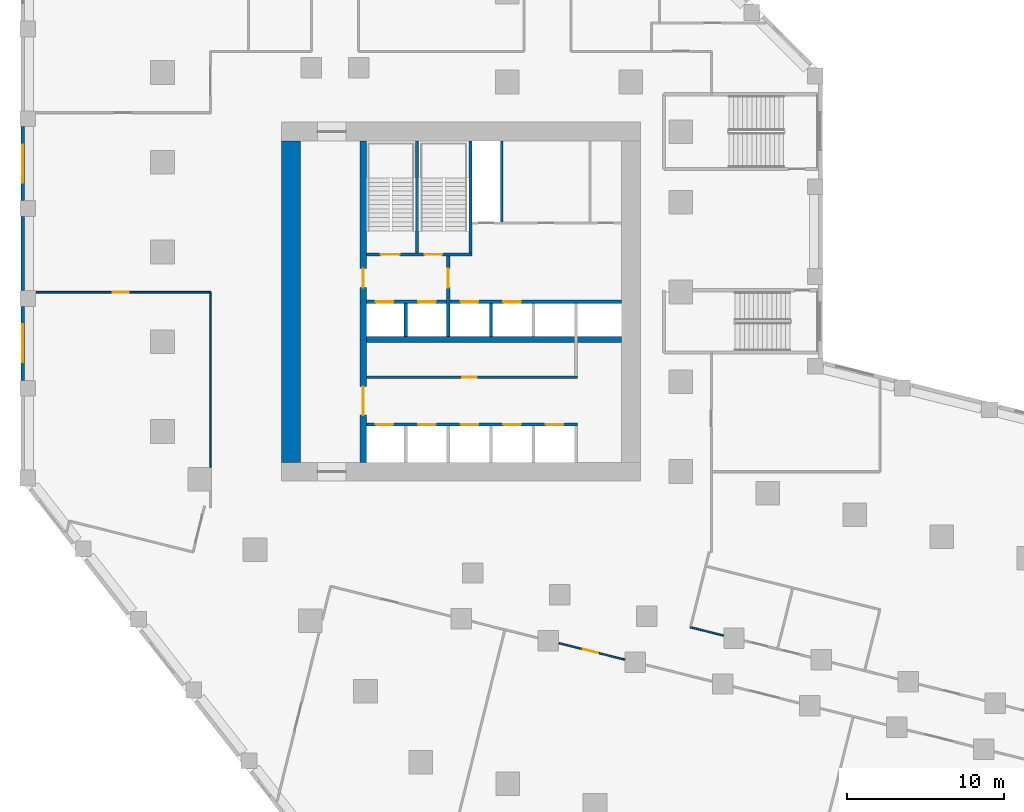
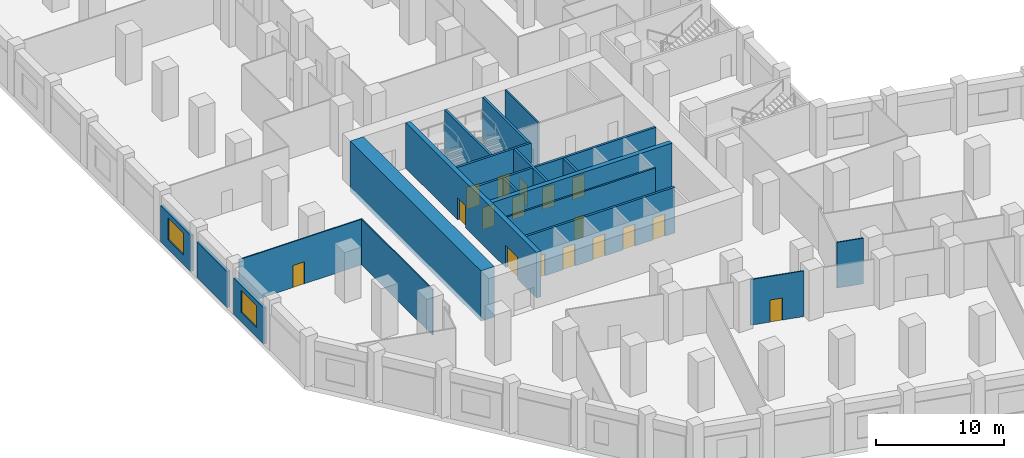
# One storey, part 4 of 15: 20 walls, 17 doors, 2 windows, 19 openings.
"""IFC4 building model written with IfcOpenShell, lengths in metres."""

from ifc_helpers import new_model, si_unit, direction, frame, frame_2d, origin, place, context, subcontext, project, spatial, rectangle, extrude, material, layer, layer_set, type_object, element, fill, save


model = new_model("IFC4")

# Units and contexts
model_context = context("Model", 3, precision=1e-05, world=origin(), true_north=direction((0.0, 1.0)))
body_context = subcontext(model_context, "Body", "Model", "MODEL_VIEW")
ifc_project = project(units=[si_unit("LENGTHUNIT", "METRE"), si_unit("AREAUNIT", "SQUARE_METRE"), si_unit("VOLUMEUNIT", "CUBIC_METRE"), si_unit("PLANEANGLEUNIT", "RADIAN"), si_unit("MASSUNIT", "GRAM", prefix="KILO")], contexts=[model_context])

# Site, building, storey
site_placement = place(None, origin())
site = spatial("IfcSite", under=ifc_project, at=site_placement, CompositionType="ELEMENT")
building_placement = place(site_placement, origin())
building = spatial("IfcBuilding", under=site, at=building_placement, Name="Meshkara Civic Tower", CompositionType="ELEMENT")
storey_placement = place(building_placement, frame((0.0, 0.0, 23.39990234375)))
storey = spatial("IfcBuildingStorey", under=building, at=storey_placement, Name="L04", CompositionType="ELEMENT", Elevation=23.39990234375)

# Wall, opening, door
ifc_material_1 = material(Name="Blockwork", Category="masonry")
ifc_layer_1 = layer(ifc_material_1, 0.14990234375)
ifc_layer_set_1 = layer_set([ifc_layer_1], Name="Core partition 150")
wall_type_1 = type_object("IfcWallType", Name="Core partition 150", PredefinedType="PARTITIONING", material=ifc_layer_set_1)
wall_1_placement = place(storey_placement, frame((13.39990234375, 20.699951171875, 0.0), z_axis=(0.0, 0.0, 1.0), x_axis=(1.0, 0.0, 0.0)))
wall_1 = element("IfcWall", 1, at=wall_1_placement, inside=storey, type_object=wall_type_1, Name="L04-C006", PredefinedType="PARTITIONING", context=body_context, shape_type="SweptSolid", body=[
    extrude(rectangle(XDim=13.400146484375, YDim=0.14990234375, at=frame_2d((6.7001953125, 0.0))), origin(), (0.0, 0.0, 1.0), 4.35009765625),
])
opening_1_placement = place(wall_1_placement, frame((6.10009765625, 0.0, 0.0)))
opening_1 = element("IfcOpeningElement", 2, at=opening_1_placement, cuts=wall_1, Name="Opening L04-K010", PredefinedType="OPENING", context=body_context, shape_type="SweptSolid", body=[
    extrude(rectangle(XDim=0.89990234375, YDim=2.10009765625, at=frame_2d((0.449951171875, 1.050048828125))), frame((0.0, 0.0849609375, 0.0), z_axis=(0.0, -1.0, 0.0), x_axis=(1.0, 0.0, 0.0)), (0.0, 0.0, 1.0), 0.169921875),
])
ifc_material_2 = material(Name="Timber door leaf in steel frame", Category="steel")
door_type_1 = type_object("IfcDoorType", Name="Core room door 900", OperationType="SINGLE_SWING_LEFT", PredefinedType="DOOR", material=ifc_material_2)
door_1_placement = place(opening_1_placement, origin())
door_1 = element("IfcDoor", 3, at=door_1_placement, inside=storey, type_object=door_type_1, Name="L04-K010", OperationType="SINGLE_SWING_RIGHT", OverallHeight=2.10009765625, OverallWidth=0.89990234375, PredefinedType="DOOR", context=body_context, shape_type="SweptSolid", body=[
    extrude(rectangle(XDim=0.89990234375, YDim=2.10009765625, at=frame_2d((0.449951171875, 1.050048828125))), frame((0.0, 0.02490234375, 0.0), z_axis=(0.0, -1.0, 0.0), x_axis=(1.0, 0.0, 0.0)), (0.0, 0.0, 1.0), 0.050048828125),
])
fill(opening_1, door_1)

# Walls
wall_2_placement = place(storey_placement, frame((22.0, 30.574951171875, 0.0), z_axis=(0.0, 0.0, 1.0), x_axis=(0.0, 1.0, 0.0)))
element("IfcWall", 4, at=wall_2_placement, inside=storey, type_object=wall_type_1, Name="L04-C020", PredefinedType="PARTITIONING", context=body_context, shape_type="SweptSolid", body=[
    extrude(rectangle(XDim=5.125, YDim=0.14990234375, at=frame_2d((2.5625, 0.0))), origin(), (0.0, 0.0, 1.0), 4.35009765625),
])
ifc_material_3 = material(Name="Concrete C80", Category="concrete")
ifc_layer_2 = layer(ifc_material_3, 1.199951171875)
ifc_layer_set_2 = layer_set([ifc_layer_2], Name="Core ring wall 1200 C80")
wall_type_2 = type_object("IfcWallType", Name="Core ring wall 1200 C80", PredefinedType="SHEAR", material=ifc_layer_set_2)
wall_3_placement = place(storey_placement, frame((8.60009765625, 15.300048828125, -0.449951171875), z_axis=(0.0, 0.0, 1.0), x_axis=(0.0, 1.0, 0.0)))
element("IfcWall", 5, at=wall_3_placement, inside=storey, type_object=wall_type_2, Name="L04-C003", PredefinedType="SHEAR", context=body_context, shape_type="SweptSolid", body=[
    extrude(rectangle(XDim=20.39990234375, YDim=1.199951171875, at=frame_2d((10.199951171875, 0.0))), origin(), (0.0, 0.0, 1.0), 4.800048828125),
])
ifc_material_4 = material(Name="Concrete C80", Category="concrete")
ifc_layer_3 = layer(ifc_material_4, 0.39990234375)
ifc_layer_set_3 = layer_set([ifc_layer_3], Name="Core shear wall 400 C80")
wall_type_3 = type_object("IfcWallType", Name="Core shear wall 400 C80", PredefinedType="SHEAR", material=ifc_layer_set_3)
wall_4_placement = place(storey_placement, frame((13.39990234375, 23.10009765625, 0.0), z_axis=(0.0, 0.0, 1.0), x_axis=(1.0, 0.0, 0.0)))
element("IfcWall", 6, at=wall_4_placement, inside=storey, type_object=wall_type_3, Name="L04-C007", PredefinedType="SHEAR", context=body_context, shape_type="SweptSolid", body=[
    extrude(rectangle(XDim=16.2001953125, YDim=0.39990234375, at=frame_2d((8.10009765625, 0.0))), origin(), (0.0, 0.0, 1.0), 4.35009765625),
])

# Wall, openings, doors
wall_5_placement = place(storey_placement, frame((13.199951171875, 15.300048828125, 0.0), z_axis=(0.0, 0.0, 1.0), x_axis=(0.0, 1.0, 0.0)))
wall_5 = element("IfcWall", 7, at=wall_5_placement, inside=storey, type_object=wall_type_3, Name="L04-C011", PredefinedType="SHEAR", context=body_context, shape_type="SweptSolid", body=[
    extrude(rectangle(XDim=20.39990234375, YDim=0.39990234375, at=frame_2d((10.199951171875, 0.0))), origin(), (0.0, 0.0, 1.0), 4.35009765625),
])
opening_2_placement = place(wall_5_placement, frame((3.0, 0.0, 0.0)))
opening_2 = element("IfcOpeningElement", 8, at=opening_2_placement, cuts=wall_5, Name="Opening L04-K016", PredefinedType="OPENING", context=body_context, shape_type="SweptSolid", body=[
    extrude(rectangle(XDim=1.800048828125, YDim=2.10009765625, at=frame_2d((0.89990234375, 1.050048828125))), frame((0.0, 0.2099609375, 0.0), z_axis=(0.0, -1.0, 0.0), x_axis=(1.0, 0.0, 0.0)), (0.0, 0.0, 1.0), 0.419921875),
])
opening_3_placement = place(wall_5_placement, frame((11.10009765625, 0.0, 0.0)))
opening_3 = element("IfcOpeningElement", 9, at=opening_3_placement, cuts=wall_5, Name="Opening L04-K017", PredefinedType="OPENING", context=body_context, shape_type="SweptSolid", body=[
    extrude(rectangle(XDim=1.199951171875, YDim=2.10009765625, at=frame_2d((0.60009765625, 1.050048828125))), frame((0.0, 0.2099609375, 0.0), z_axis=(0.0, -1.0, 0.0), x_axis=(1.0, 0.0, 0.0)), (0.0, 0.0, 1.0), 0.419921875),
])
ifc_material_5 = material(Name="Fire-rated door leaf in steel frame", Category="steel")
door_type_2 = type_object("IfcDoorType", Name="Core double door 1800 EI 60", OperationType="DOUBLE_DOOR_SINGLE_SWING", PredefinedType="DOOR", material=ifc_material_5)
door_2_placement = place(opening_2_placement, origin())
door_2 = element("IfcDoor", 10, at=door_2_placement, inside=storey, type_object=door_type_2, Name="L04-K016", OperationType="DOUBLE_DOOR_SINGLE_SWING", OverallHeight=2.10009765625, OverallWidth=1.800048828125, PredefinedType="DOOR", context=body_context, shape_type="SweptSolid", body=[
    extrude(rectangle(XDim=1.800048828125, YDim=2.10009765625, at=frame_2d((0.89990234375, 1.050048828125))), frame((0.0, 0.02490234375, 0.0), z_axis=(0.0, -1.0, 0.0), x_axis=(1.0, 0.0, 0.0)), (0.0, 0.0, 1.0), 0.050048828125),
])
fill(opening_2, door_2)
ifc_material_6 = material(Name="Fire-rated door leaf in steel frame", Category="steel")
door_type_3 = type_object("IfcDoorType", Name="Fire-fighting lobby door 1200 EI 120", OperationType="SINGLE_SWING_LEFT", PredefinedType="DOOR", material=ifc_material_6)
door_3_placement = place(opening_3_placement, origin())
door_3 = element("IfcDoor", 11, at=door_3_placement, inside=storey, type_object=door_type_3, Name="L04-K017", OperationType="SINGLE_SWING_LEFT", OverallHeight=2.10009765625, OverallWidth=1.199951171875, PredefinedType="DOOR", context=body_context, shape_type="SweptSolid", body=[
    extrude(rectangle(XDim=1.199951171875, YDim=2.10009765625, at=frame_2d((0.60009765625, 1.050048828125))), frame((0.0, 0.02490234375, 0.0), z_axis=(0.0, -1.0, 0.0), x_axis=(1.0, 0.0, 0.0)), (0.0, 0.0, 1.0), 0.050048828125),
])
fill(opening_3, door_3)

# Wall, opening, door
ifc_material_7 = material(Name="Corridor wall 100")
ifc_layer_4 = layer(ifc_material_7, 0.10009765625)
ifc_layer_set_4 = layer_set([ifc_layer_4], Name="Corridor wall 100")
wall_type_4 = type_object("IfcWallType", Name="Corridor wall 100", PredefinedType="PARTITIONING", material=ifc_layer_set_4)
wall_6_placement = place(storey_placement, frame((-7.580078125, 26.10009765625, 0.0), z_axis=(0.0, 0.0, 1.0), x_axis=(1.0, 0.0, 0.0)))
wall_6 = element("IfcWall", 12, at=wall_6_placement, inside=storey, type_object=wall_type_4, Name="L04-R001", PredefinedType="PARTITIONING", context=body_context, shape_type="SweptSolid", body=[
    extrude(rectangle(XDim=11.080078125, YDim=0.10009765625, at=frame_2d((5.5400390625, 0.0))), origin(), (0.0, 0.0, 1.0), 4.35009765625),
])
opening_4_placement = place(wall_6_placement, frame((4.8798828125, 0.0, 0.0)))
opening_4 = element("IfcOpeningElement", 13, at=opening_4_placement, cuts=wall_6, Name="Opening L04-P021", PredefinedType="OPENING", context=body_context, shape_type="SweptSolid", body=[
    extrude(rectangle(XDim=1.0, YDim=2.10009765625, at=frame_2d((0.5, 1.050048828125))), frame((0.0, 0.06005859375, 0.0), z_axis=(0.0, -1.0, 0.0), x_axis=(1.0, 0.0, 0.0)), (0.0, 0.0, 1.0), 0.1201171875),
])
ifc_material_8 = material(Name="Door 1000 x 2100")
door_type_4 = type_object("IfcDoorType", Name="Door 1000 x 2100", OperationType="SINGLE_SWING_LEFT", PredefinedType="DOOR", material=ifc_material_8)
door_4_placement = place(opening_4_placement, origin())
door_4 = element("IfcDoor", 14, at=door_4_placement, inside=storey, type_object=door_type_4, Name="L04-P021", OperationType="SINGLE_SWING_RIGHT", OverallHeight=2.10009765625, OverallWidth=1.0, PredefinedType="DOOR", context=body_context, shape_type="SweptSolid", body=[
    extrude(rectangle(XDim=1.0, YDim=2.10009765625, at=frame_2d((0.5, 1.050048828125))), frame((0.0, 0.02490234375, 0.0), z_axis=(0.0, -1.0, 0.0), x_axis=(1.0, 0.0, 0.0)), (0.0, 0.0, 1.0), 0.050048828125),
])
fill(opening_4, door_4)

# Wall
wall_7_placement = place(storey_placement, frame((3.5, 26.10009765625, 0.0), z_axis=(0.0, 0.0, 1.0), x_axis=(0.0, -1.0, 0.0)))
element("IfcWall", 15, at=wall_7_placement, inside=storey, type_object=wall_type_4, Name="L04-R009", PredefinedType="PARTITIONING", context=body_context, shape_type="SweptSolid", body=[
    extrude(rectangle(XDim=11.10107421875, YDim=0.10009765625, at=frame_2d((5.550537109375, 0.0))), origin(), (0.0, 0.0, 1.0), 4.35009765625),
])

# Wall, opening, door
wall_8_placement = place(storey_placement, frame((25.6240234375, 3.81494140625, 0.0), z_axis=(0.0, 0.0, 1.0), x_axis=(0.970295255208, -0.241923784941, 0.0)))
wall_8 = element("IfcWall", 16, at=wall_8_placement, inside=storey, type_object=wall_type_4, Name="L04-R041", PredefinedType="PARTITIONING", context=body_context, shape_type="SweptSolid", body=[
    extrude(rectangle(XDim=4.3193359375, YDim=0.10009765625, at=frame_2d((2.15966796875, 0.0))), origin(), (0.0, 0.0, 1.0), 4.35009765625),
])
opening_5_placement = place(wall_8_placement, frame((1.580078125, 0.0, 0.0)))
opening_5 = element("IfcOpeningElement", 17, at=opening_5_placement, cuts=wall_8, Name="Opening L04-P013", PredefinedType="OPENING", context=body_context, shape_type="SweptSolid", body=[
    extrude(rectangle(XDim=1.0, YDim=2.10009765625, at=frame_2d((0.5, 1.050048828125))), frame((0.0, 0.06005859375, 0.0), z_axis=(0.0, -1.0, 0.0), x_axis=(1.0, 0.0, 0.0)), (0.0, 0.0, 1.0), 0.1201171875),
])
door_5_placement = place(opening_5_placement, origin())
door_5 = element("IfcDoor", 18, at=door_5_placement, inside=storey, type_object=door_type_4, Name="L04-P013", OperationType="SINGLE_SWING_RIGHT", OverallHeight=2.10009765625, OverallWidth=1.0, PredefinedType="DOOR", context=body_context, shape_type="SweptSolid", body=[
    extrude(rectangle(XDim=1.0, YDim=2.10009765625, at=frame_2d((0.5, 1.050048828125))), frame((0.0, 0.02490234375, 0.0), z_axis=(0.0, -1.0, 0.0), x_axis=(1.0, 0.0, 0.0)), (0.0, 0.0, 1.0), 0.050048828125),
])
fill(opening_5, door_5)

# Wall
wall_9_placement = place(storey_placement, frame((36.072021484375, 4.301025390625, 0.0), z_axis=(0.0, 0.0, 1.0), x_axis=(-0.970255412337, 0.242083528623, 0.0)))
element("IfcWall", 19, at=wall_9_placement, inside=storey, type_object=wall_type_4, Name="L04-R054", PredefinedType="PARTITIONING", context=body_context, shape_type="SweptSolid", body=[
    extrude(rectangle(XDim=2.16015625, YDim=0.10009765625, at=frame_2d((1.080078125, 0.0))), origin(), (0.0, 0.0, 1.0), 4.35009765625),
])

# Wall, opening, window
ifc_material_9 = material(Name="Stone cladding on insulated backing wall", Category="masonry")
ifc_layer_5 = layer(ifc_material_9, 0.25)
ifc_layer_set_5 = layer_set([ifc_layer_5], Name="PODIUM STONE WALL 250")
wall_type_5 = type_object("IfcWallType", Name="PODIUM STONE WALL 250", PredefinedType="SOLIDWALL", material=ifc_layer_set_5)
wall_10_placement = place(storey_placement, frame((-8.425048828125, 36.611083984375, 0.0), z_axis=(0.0, 0.0, 1.0), x_axis=(0.0, -1.0, 0.0)))
wall_10 = element("IfcWall", 20, at=wall_10_placement, inside=storey, type_object=wall_type_5, Name="Podium external wall", PredefinedType="SOLIDWALL", context=body_context, shape_type="SweptSolid", body=[
    extrude(rectangle(XDim=4.7001953125, YDim=0.25, at=frame_2d((2.35009765625, 0.0))), origin(), (0.0, 0.0, 1.0), 3.4501953125),
])
opening_6_placement = place(wall_10_placement, frame((1.14990234375, 0.0, 0.89990234375)))
opening_6 = element("IfcOpeningElement", 21, at=opening_6_placement, cuts=wall_10, Name="Opening PW10", PredefinedType="OPENING", context=body_context, shape_type="SweptSolid", body=[
    extrude(rectangle(XDim=2.39990234375, YDim=2.10009765625, at=frame_2d((1.199951171875, 1.050048828125))), frame((0.0, 0.135009765625, 0.0), z_axis=(0.0, -1.0, 0.0), x_axis=(1.0, 0.0, 0.0)), (0.0, 0.0, 1.0), 0.27001953125),
])
ifc_material_10 = material(Name="Tinted double glazing", Category="glass")
window_type = type_object("IfcWindowType", Name="PODIUM WINDOW 2400x2100", PartitioningType="DOUBLE_PANEL_VERTICAL", PredefinedType="WINDOW", material=ifc_material_10)
window_1_placement = place(opening_6_placement, origin())
window_1 = element("IfcWindow", 22, at=window_1_placement, inside=storey, type_object=window_type, Name="Podium window", OverallHeight=2.10009765625, OverallWidth=2.39990234375, PartitioningType="DOUBLE_PANEL_VERTICAL", PredefinedType="WINDOW", context=body_context, shape_type="SweptSolid", body=[
    extrude(rectangle(XDim=2.39990234375, YDim=2.10009765625, at=frame_2d((1.199951171875, 1.050048828125))), frame((0.0, 0.030029296875, 0.0), z_axis=(0.0, -1.0, 0.0), x_axis=(1.0, 0.0, 0.0)), (0.0, 0.0, 1.0), 0.06005859375),
])
fill(opening_6, window_1)

# Wall
wall_11_placement = place(storey_placement, frame((-8.425048828125, 30.910888671875, 0.0), z_axis=(0.0, 0.0, 1.0), x_axis=(0.0, -1.0, 0.0)))
element("IfcWall", 23, at=wall_11_placement, inside=storey, type_object=wall_type_5, Name="Podium external wall", PredefinedType="SOLIDWALL", context=body_context, shape_type="SweptSolid", body=[
    extrude(rectangle(XDim=4.699951171875, YDim=0.25, at=frame_2d((2.35009765625, 0.0))), origin(), (0.0, 0.0, 1.0), 3.4501953125),
])

# Wall, opening, window
wall_12_placement = place(storey_placement, frame((-8.425048828125, 25.2109375, 0.0), z_axis=(0.0, 0.0, 1.0), x_axis=(0.0, -1.0, 0.0)))
wall_12 = element("IfcWall", 24, at=wall_12_placement, inside=storey, type_object=wall_type_5, Name="Podium external wall", PredefinedType="SOLIDWALL", context=body_context, shape_type="SweptSolid", body=[
    extrude(rectangle(XDim=4.699951171875, YDim=0.25, at=frame_2d((2.35009765625, 0.0))), origin(), (0.0, 0.0, 1.0), 3.4501953125),
])
opening_7_placement = place(wall_12_placement, frame((1.14990234375, 0.0, 0.89990234375)))
opening_7 = element("IfcOpeningElement", 25, at=opening_7_placement, cuts=wall_12, Name="Opening PW10", PredefinedType="OPENING", context=body_context, shape_type="SweptSolid", body=[
    extrude(rectangle(XDim=2.39990234375, YDim=2.10009765625, at=frame_2d((1.199951171875, 1.050048828125))), frame((0.0, 0.135009765625, 0.0), z_axis=(0.0, -1.0, 0.0), x_axis=(1.0, 0.0, 0.0)), (0.0, 0.0, 1.0), 0.27001953125),
])
window_2_placement = place(opening_7_placement, origin())
window_2 = element("IfcWindow", 26, at=window_2_placement, inside=storey, type_object=window_type, Name="Podium window", OverallHeight=2.10009765625, OverallWidth=2.39990234375, PartitioningType="DOUBLE_PANEL_VERTICAL", PredefinedType="WINDOW", context=body_context, shape_type="SweptSolid", body=[
    extrude(rectangle(XDim=2.39990234375, YDim=2.10009765625, at=frame_2d((1.199951171875, 1.050048828125))), frame((0.0, 0.030029296875, 0.0), z_axis=(0.0, -1.0, 0.0), x_axis=(1.0, 0.0, 0.0)), (0.0, 0.0, 1.0), 0.06005859375),
])
fill(opening_7, window_2)

# Wall, openings, doors
ifc_material_11 = material(Name="Concrete C40/50", Category="concrete")
ifc_layer_6 = layer(ifc_material_11, 0.199951171875)
ifc_layer_set_6 = layer_set([ifc_layer_6], Name="Shaft wall 200 C40/50")
wall_type_6 = type_object("IfcWallType", Name="Shaft wall 200 C40/50", PredefinedType="SOLIDWALL", material=ifc_layer_set_6)
wall_13_placement = place(storey_placement, frame((13.39990234375, 17.699951171875, 0.0), z_axis=(0.0, 0.0, 1.0), x_axis=(1.0, 0.0, 0.0)))
wall_13 = element("IfcWall", 27, at=wall_13_placement, inside=storey, type_object=wall_type_6, Name="L04-C005", PredefinedType="SOLIDWALL", context=body_context, shape_type="SweptSolid", body=[
    extrude(rectangle(XDim=13.400146484375, YDim=0.199951171875, at=frame_2d((6.7001953125, 0.0))), origin(), (0.0, 0.0, 1.0), 4.35009765625),
])
opening_8_placement = place(wall_13_placement, frame((0.60009765625, 0.0, 0.0)))
opening_8 = element("IfcOpeningElement", 28, at=opening_8_placement, cuts=wall_13, Name="Opening L04-K001", PredefinedType="OPENING", context=body_context, shape_type="SweptSolid", body=[
    extrude(rectangle(XDim=1.10009765625, YDim=2.10009765625, at=frame_2d((0.550048828125, 1.050048828125))), frame((0.0, 0.10986328125, 0.0), z_axis=(0.0, -1.0, 0.0), x_axis=(1.0, 0.0, 0.0)), (0.0, 0.0, 1.0), 0.219970703125),
])
opening_9_placement = place(wall_13_placement, frame((3.300048828125, 0.0, 0.0)))
opening_9 = element("IfcOpeningElement", 29, at=opening_9_placement, cuts=wall_13, Name="Opening L04-K002", PredefinedType="OPENING", context=body_context, shape_type="SweptSolid", body=[
    extrude(rectangle(XDim=1.10009765625, YDim=2.10009765625, at=frame_2d((0.550048828125, 1.050048828125))), frame((0.0, 0.10986328125, 0.0), z_axis=(0.0, -1.0, 0.0), x_axis=(1.0, 0.0, 0.0)), (0.0, 0.0, 1.0), 0.219970703125),
])
opening_10_placement = place(wall_13_placement, frame((6.0, 0.0, 0.0)))
opening_10 = element("IfcOpeningElement", 30, at=opening_10_placement, cuts=wall_13, Name="Opening L04-K003", PredefinedType="OPENING", context=body_context, shape_type="SweptSolid", body=[
    extrude(rectangle(XDim=1.10009765625, YDim=2.10009765625, at=frame_2d((0.550048828125, 1.050048828125))), frame((0.0, 0.10986328125, 0.0), z_axis=(0.0, -1.0, 0.0), x_axis=(1.0, 0.0, 0.0)), (0.0, 0.0, 1.0), 0.219970703125),
])
opening_11_placement = place(wall_13_placement, frame((8.699951171875, 0.0, 0.0)))
opening_11 = element("IfcOpeningElement", 31, at=opening_11_placement, cuts=wall_13, Name="Opening L04-K004", PredefinedType="OPENING", context=body_context, shape_type="SweptSolid", body=[
    extrude(rectangle(XDim=1.10009765625, YDim=2.10009765625, at=frame_2d((0.550048828125, 1.050048828125))), frame((0.0, 0.10986328125, 0.0), z_axis=(0.0, -1.0, 0.0), x_axis=(1.0, 0.0, 0.0)), (0.0, 0.0, 1.0), 0.219970703125),
])
opening_12_placement = place(wall_13_placement, frame((11.39990234375, 0.0, 0.0)))
opening_12 = element("IfcOpeningElement", 32, at=opening_12_placement, cuts=wall_13, Name="Opening L04-K005", PredefinedType="OPENING", context=body_context, shape_type="SweptSolid", body=[
    extrude(rectangle(XDim=1.10009765625, YDim=2.10009765625, at=frame_2d((0.550048828125, 1.050048828125))), frame((0.0, 0.10986328125, 0.0), z_axis=(0.0, -1.0, 0.0), x_axis=(1.0, 0.0, 0.0)), (0.0, 0.0, 1.0), 0.219970703125),
])
ifc_material_12 = material(Name="Stainless steel landing door", Category="steel")
door_type_5 = type_object("IfcDoorType", Name="Lift landing door 1100", OperationType="SLIDING_TO_LEFT", PredefinedType="DOOR", material=ifc_material_12)
door_6_placement = place(opening_8_placement, origin())
door_6 = element("IfcDoor", 33, at=door_6_placement, inside=storey, type_object=door_type_5, Name="L04-K001", OperationType="SLIDING_TO_LEFT", OverallHeight=2.10009765625, OverallWidth=1.10009765625, PredefinedType="DOOR", context=body_context, shape_type="SweptSolid", body=[
    extrude(rectangle(XDim=1.10009765625, YDim=2.10009765625, at=frame_2d((0.550048828125, 1.050048828125))), frame((0.0, 0.02490234375, 0.0), z_axis=(0.0, -1.0, 0.0), x_axis=(1.0, 0.0, 0.0)), (0.0, 0.0, 1.0), 0.050048828125),
])
fill(opening_8, door_6)
door_7_placement = place(opening_9_placement, origin())
door_7 = element("IfcDoor", 34, at=door_7_placement, inside=storey, type_object=door_type_5, Name="L04-K002", OperationType="SLIDING_TO_LEFT", OverallHeight=2.10009765625, OverallWidth=1.10009765625, PredefinedType="DOOR", context=body_context, shape_type="SweptSolid", body=[
    extrude(rectangle(XDim=1.10009765625, YDim=2.10009765625, at=frame_2d((0.550048828125, 1.050048828125))), frame((0.0, 0.02490234375, 0.0), z_axis=(0.0, -1.0, 0.0), x_axis=(1.0, 0.0, 0.0)), (0.0, 0.0, 1.0), 0.050048828125),
])
fill(opening_9, door_7)
door_8_placement = place(opening_10_placement, origin())
door_8 = element("IfcDoor", 35, at=door_8_placement, inside=storey, type_object=door_type_5, Name="L04-K003", OperationType="SLIDING_TO_LEFT", OverallHeight=2.10009765625, OverallWidth=1.10009765625, PredefinedType="DOOR", context=body_context, shape_type="SweptSolid", body=[
    extrude(rectangle(XDim=1.10009765625, YDim=2.10009765625, at=frame_2d((0.550048828125, 1.050048828125))), frame((0.0, 0.02490234375, 0.0), z_axis=(0.0, -1.0, 0.0), x_axis=(1.0, 0.0, 0.0)), (0.0, 0.0, 1.0), 0.050048828125),
])
fill(opening_10, door_8)
door_9_placement = place(opening_11_placement, origin())
door_9 = element("IfcDoor", 36, at=door_9_placement, inside=storey, type_object=door_type_5, Name="L04-K004", OperationType="SLIDING_TO_LEFT", OverallHeight=2.10009765625, OverallWidth=1.10009765625, PredefinedType="DOOR", context=body_context, shape_type="SweptSolid", body=[
    extrude(rectangle(XDim=1.10009765625, YDim=2.10009765625, at=frame_2d((0.550048828125, 1.050048828125))), frame((0.0, 0.02490234375, 0.0), z_axis=(0.0, -1.0, 0.0), x_axis=(1.0, 0.0, 0.0)), (0.0, 0.0, 1.0), 0.050048828125),
])
fill(opening_11, door_9)
door_10_placement = place(opening_12_placement, origin())
door_10 = element("IfcDoor", 37, at=door_10_placement, inside=storey, type_object=door_type_5, Name="L04-K005", OperationType="SLIDING_TO_LEFT", OverallHeight=2.10009765625, OverallWidth=1.10009765625, PredefinedType="DOOR", context=body_context, shape_type="SweptSolid", body=[
    extrude(rectangle(XDim=1.10009765625, YDim=2.10009765625, at=frame_2d((0.550048828125, 1.050048828125))), frame((0.0, 0.02490234375, 0.0), z_axis=(0.0, -1.0, 0.0), x_axis=(1.0, 0.0, 0.0)), (0.0, 0.0, 1.0), 0.050048828125),
])
fill(opening_12, door_10)

wall_14_placement = place(storey_placement, frame((13.39990234375, 25.5, 0.0), z_axis=(0.0, 0.0, 1.0), x_axis=(1.0, 0.0, 0.0)))
wall_14 = element("IfcWall", 38, at=wall_14_placement, inside=storey, type_object=wall_type_6, Name="L04-C008", PredefinedType="SOLIDWALL", context=body_context, shape_type="SweptSolid", body=[
    extrude(rectangle(XDim=16.2001953125, YDim=0.199951171875, at=frame_2d((8.10009765625, 0.0))), origin(), (0.0, 0.0, 1.0), 4.35009765625),
])
opening_13_placement = place(wall_14_placement, frame((0.60009765625, 0.0, 0.0)))
opening_13 = element("IfcOpeningElement", 39, at=opening_13_placement, cuts=wall_14, Name="Opening L04-K006", PredefinedType="OPENING", context=body_context, shape_type="SweptSolid", body=[
    extrude(rectangle(XDim=1.10009765625, YDim=2.10009765625, at=frame_2d((0.550048828125, 1.050048828125))), frame((0.0, 0.10986328125, 0.0), z_axis=(0.0, -1.0, 0.0), x_axis=(1.0, 0.0, 0.0)), (0.0, 0.0, 1.0), 0.219970703125),
])
opening_14_placement = place(wall_14_placement, frame((3.300048828125, 0.0, 0.0)))
opening_14 = element("IfcOpeningElement", 40, at=opening_14_placement, cuts=wall_14, Name="Opening L04-K007", PredefinedType="OPENING", context=body_context, shape_type="SweptSolid", body=[
    extrude(rectangle(XDim=1.10009765625, YDim=2.10009765625, at=frame_2d((0.550048828125, 1.050048828125))), frame((0.0, 0.10986328125, 0.0), z_axis=(0.0, -1.0, 0.0), x_axis=(1.0, 0.0, 0.0)), (0.0, 0.0, 1.0), 0.219970703125),
])
opening_15_placement = place(wall_14_placement, frame((6.0, 0.0, 0.0)))
opening_15 = element("IfcOpeningElement", 41, at=opening_15_placement, cuts=wall_14, Name="Opening L04-K008", PredefinedType="OPENING", context=body_context, shape_type="SweptSolid", body=[
    extrude(rectangle(XDim=1.10009765625, YDim=2.10009765625, at=frame_2d((0.550048828125, 1.050048828125))), frame((0.0, 0.10986328125, 0.0), z_axis=(0.0, -1.0, 0.0), x_axis=(1.0, 0.0, 0.0)), (0.0, 0.0, 1.0), 0.219970703125),
])
opening_16_placement = place(wall_14_placement, frame((8.699951171875, 0.0, 0.0)))
opening_16 = element("IfcOpeningElement", 42, at=opening_16_placement, cuts=wall_14, Name="Opening L04-K009", PredefinedType="OPENING", context=body_context, shape_type="SweptSolid", body=[
    extrude(rectangle(XDim=1.10009765625, YDim=2.10009765625, at=frame_2d((0.550048828125, 1.050048828125))), frame((0.0, 0.10986328125, 0.0), z_axis=(0.0, -1.0, 0.0), x_axis=(1.0, 0.0, 0.0)), (0.0, 0.0, 1.0), 0.219970703125),
])
door_11_placement = place(opening_13_placement, origin())
door_11 = element("IfcDoor", 43, at=door_11_placement, inside=storey, type_object=door_type_5, Name="L04-K006", OperationType="SLIDING_TO_LEFT", OverallHeight=2.10009765625, OverallWidth=1.10009765625, PredefinedType="DOOR", context=body_context, shape_type="SweptSolid", body=[
    extrude(rectangle(XDim=1.10009765625, YDim=2.10009765625, at=frame_2d((0.550048828125, 1.050048828125))), frame((0.0, 0.02490234375, 0.0), z_axis=(0.0, -1.0, 0.0), x_axis=(1.0, 0.0, 0.0)), (0.0, 0.0, 1.0), 0.050048828125),
])
fill(opening_13, door_11)
door_12_placement = place(opening_14_placement, origin())
door_12 = element("IfcDoor", 44, at=door_12_placement, inside=storey, type_object=door_type_5, Name="L04-K007", OperationType="SLIDING_TO_LEFT", OverallHeight=2.10009765625, OverallWidth=1.10009765625, PredefinedType="DOOR", context=body_context, shape_type="SweptSolid", body=[
    extrude(rectangle(XDim=1.10009765625, YDim=2.10009765625, at=frame_2d((0.550048828125, 1.050048828125))), frame((0.0, 0.02490234375, 0.0), z_axis=(0.0, -1.0, 0.0), x_axis=(1.0, 0.0, 0.0)), (0.0, 0.0, 1.0), 0.050048828125),
])
fill(opening_14, door_12)
door_13_placement = place(opening_15_placement, origin())
door_13 = element("IfcDoor", 45, at=door_13_placement, inside=storey, type_object=door_type_5, Name="L04-K008", OperationType="SLIDING_TO_LEFT", OverallHeight=2.10009765625, OverallWidth=1.10009765625, PredefinedType="DOOR", context=body_context, shape_type="SweptSolid", body=[
    extrude(rectangle(XDim=1.10009765625, YDim=2.10009765625, at=frame_2d((0.550048828125, 1.050048828125))), frame((0.0, 0.02490234375, 0.0), z_axis=(0.0, -1.0, 0.0), x_axis=(1.0, 0.0, 0.0)), (0.0, 0.0, 1.0), 0.050048828125),
])
fill(opening_15, door_13)
door_14_placement = place(opening_16_placement, origin())
door_14 = element("IfcDoor", 46, at=door_14_placement, inside=storey, type_object=door_type_5, Name="L04-K009", OperationType="SLIDING_TO_LEFT", OverallHeight=2.10009765625, OverallWidth=1.10009765625, PredefinedType="DOOR", context=body_context, shape_type="SweptSolid", body=[
    extrude(rectangle(XDim=1.10009765625, YDim=2.10009765625, at=frame_2d((0.550048828125, 1.050048828125))), frame((0.0, 0.02490234375, 0.0), z_axis=(0.0, -1.0, 0.0), x_axis=(1.0, 0.0, 0.0)), (0.0, 0.0, 1.0), 0.050048828125),
])
fill(opening_16, door_14)

# Wall
wall_15_placement = place(storey_placement, frame((15.89990234375, 23.300048828125, 0.0), z_axis=(0.0, 0.0, 1.0), x_axis=(0.0, 1.0, 0.0)))
element("IfcWall", 47, at=wall_15_placement, inside=storey, type_object=wall_type_6, Name="L04-C013", PredefinedType="SOLIDWALL", context=body_context, shape_type="SweptSolid", body=[
    extrude(rectangle(XDim=2.099853515625, YDim=0.199951171875, at=frame_2d((1.0498046875, 0.0))), origin(), (0.0, 0.0, 1.0), 4.35009765625),
])

# Wall, opening, door
wall_16_placement = place(storey_placement, frame((18.60009765625, 23.300048828125, 0.0), z_axis=(0.0, 0.0, 1.0), x_axis=(0.0, 1.0, 0.0)))
wall_16 = element("IfcWall", 48, at=wall_16_placement, inside=storey, type_object=wall_type_6, Name="L04-C016", PredefinedType="SOLIDWALL", context=body_context, shape_type="SweptSolid", body=[
    extrude(rectangle(XDim=5.099853515625, YDim=0.199951171875, at=frame_2d((2.5498046875, 0.0))), origin(), (0.0, 0.0, 1.0), 4.35009765625),
])
opening_17_placement = place(wall_16_placement, frame((3.10009765625, 0.0, 0.0)))
opening_17 = element("IfcOpeningElement", 49, at=opening_17_placement, cuts=wall_16, Name="Opening L04-K018", PredefinedType="OPENING", context=body_context, shape_type="SweptSolid", body=[
    extrude(rectangle(XDim=1.199951171875, YDim=2.10009765625, at=frame_2d((0.60009765625, 1.050048828125))), frame((0.0, 0.10986328125, 0.0), z_axis=(0.0, -1.0, 0.0), x_axis=(1.0, 0.0, 0.0)), (0.0, 0.0, 1.0), 0.219970703125),
])
door_15_placement = place(opening_17_placement, origin())
door_15 = element("IfcDoor", 50, at=door_15_placement, inside=storey, type_object=door_type_3, Name="L04-K018", OperationType="SINGLE_SWING_RIGHT", OverallHeight=2.10009765625, OverallWidth=1.199951171875, PredefinedType="DOOR", context=body_context, shape_type="SweptSolid", body=[
    extrude(rectangle(XDim=1.199951171875, YDim=2.10009765625, at=frame_2d((0.60009765625, 1.050048828125))), frame((0.0, 0.02490234375, 0.0), z_axis=(0.0, -1.0, 0.0), x_axis=(1.0, 0.0, 0.0)), (0.0, 0.0, 1.0), 0.050048828125),
])
fill(opening_17, door_15)

# Wall
wall_17_placement = place(storey_placement, frame((21.300048828125, 23.300048828125, 0.0), z_axis=(0.0, 0.0, 1.0), x_axis=(0.0, 1.0, 0.0)))
element("IfcWall", 51, at=wall_17_placement, inside=storey, type_object=wall_type_6, Name="L04-C019", PredefinedType="SOLIDWALL", context=body_context, shape_type="SweptSolid", body=[
    extrude(rectangle(XDim=2.099853515625, YDim=0.199951171875, at=frame_2d((1.0498046875, 0.0))), origin(), (0.0, 0.0, 1.0), 4.35009765625),
])

# Wall, openings, doors
ifc_material_13 = material(Name="Concrete C40/50", Category="concrete")
ifc_layer_7 = layer(ifc_material_13, 0.199951171875)
ifc_layer_set_7 = layer_set([ifc_layer_7], Name="Stair enclosure wall 200 C40/50")
wall_type_7 = type_object("IfcWallType", Name="Stair enclosure wall 200 C40/50", PredefinedType="SOLIDWALL", material=ifc_layer_set_7)
wall_18_placement = place(storey_placement, frame((13.39990234375, 28.5, 0.0), z_axis=(0.0, 0.0, 1.0), x_axis=(1.0, 0.0, 0.0)))
wall_18 = element("IfcWall", 52, at=wall_18_placement, inside=storey, type_object=wall_type_7, Name="L04-C009", PredefinedType="SOLIDWALL", context=body_context, shape_type="SweptSolid", body=[
    extrude(rectangle(XDim=6.7001953125, YDim=0.199951171875, at=frame_2d((3.35009765625, 0.0))), origin(), (0.0, 0.0, 1.0), 4.35009765625),
])
opening_18_placement = place(wall_18_placement, frame((0.89990234375, 0.0, 0.0)))
opening_18 = element("IfcOpeningElement", 53, at=opening_18_placement, cuts=wall_18, Name="Opening L04-K014", PredefinedType="OPENING", context=body_context, shape_type="SweptSolid", body=[
    extrude(rectangle(XDim=1.199951171875, YDim=2.10009765625, at=frame_2d((0.60009765625, 1.050048828125))), frame((0.0, 0.10986328125, 0.0), z_axis=(0.0, -1.0, 0.0), x_axis=(1.0, 0.0, 0.0)), (0.0, 0.0, 1.0), 0.219970703125),
])
opening_19_placement = place(wall_18_placement, frame((3.699951171875, 0.0, 0.0)))
opening_19 = element("IfcOpeningElement", 54, at=opening_19_placement, cuts=wall_18, Name="Opening L04-K015", PredefinedType="OPENING", context=body_context, shape_type="SweptSolid", body=[
    extrude(rectangle(XDim=1.10009765625, YDim=2.10009765625, at=frame_2d((0.550048828125, 1.050048828125))), frame((0.0, 0.10986328125, 0.0), z_axis=(0.0, -1.0, 0.0), x_axis=(1.0, 0.0, 0.0)), (0.0, 0.0, 1.0), 0.219970703125),
])
ifc_material_14 = material(Name="Fire-rated door leaf in steel frame", Category="steel")
door_type_6 = type_object("IfcDoorType", Name="Stair door 1100 EI 120", OperationType="SINGLE_SWING_LEFT", PredefinedType="DOOR", material=ifc_material_14)
door_16_placement = place(opening_19_placement, origin())
door_16 = element("IfcDoor", 55, at=door_16_placement, inside=storey, type_object=door_type_6, Name="L04-K015", OperationType="SINGLE_SWING_LEFT", OverallHeight=2.10009765625, OverallWidth=1.10009765625, PredefinedType="DOOR", context=body_context, shape_type="SweptSolid", body=[
    extrude(rectangle(XDim=1.10009765625, YDim=2.10009765625, at=frame_2d((0.550048828125, 1.050048828125))), frame((0.0, 0.02490234375, 0.0), z_axis=(0.0, -1.0, 0.0), x_axis=(1.0, 0.0, 0.0)), (0.0, 0.0, 1.0), 0.050048828125),
])
fill(opening_19, door_16)
ifc_material_15 = material(Name="Fire-rated door leaf in steel frame", Category="steel")
door_type_7 = type_object("IfcDoorType", Name="Stair door 1200 EI 120", OperationType="SINGLE_SWING_LEFT", PredefinedType="DOOR", material=ifc_material_15)
door_17_placement = place(opening_18_placement, origin())
door_17 = element("IfcDoor", 56, at=door_17_placement, inside=storey, type_object=door_type_7, Name="L04-K014", OperationType="SINGLE_SWING_RIGHT", OverallHeight=2.10009765625, OverallWidth=1.199951171875, PredefinedType="DOOR", context=body_context, shape_type="SweptSolid", body=[
    extrude(rectangle(XDim=1.199951171875, YDim=2.10009765625, at=frame_2d((0.60009765625, 1.050048828125))), frame((0.0, 0.02490234375, 0.0), z_axis=(0.0, -1.0, 0.0), x_axis=(1.0, 0.0, 0.0)), (0.0, 0.0, 1.0), 0.050048828125),
])
fill(opening_18, door_17)

# Walls
for number, where, z_axis, x_axis, name in (
    (57, (16.60009765625, 28.60009765625, 0.0), (0.0, 0.0, 1.0), (0.0, 1.0, 0.0), "L04-C014"),
    (58, (20.0, 28.60009765625, 0.0), (0.0, 0.0, 1.0), (0.0, 1.0, 0.0), "L04-C017"),
):
    element("IfcWall", number, at=place(storey_placement, frame(where, z_axis=z_axis, x_axis=x_axis)), inside=storey, type_object=wall_type_7, Name=name, PredefinedType="SOLIDWALL", context=body_context, shape_type="SweptSolid", body=[
        extrude(rectangle(XDim=7.099853515625, YDim=0.199951171875, at=frame_2d((3.5498046875, 0.0))), origin(), (0.0, 0.0, 1.0), 4.35009765625),
    ])

save(model, "model.ifc")
